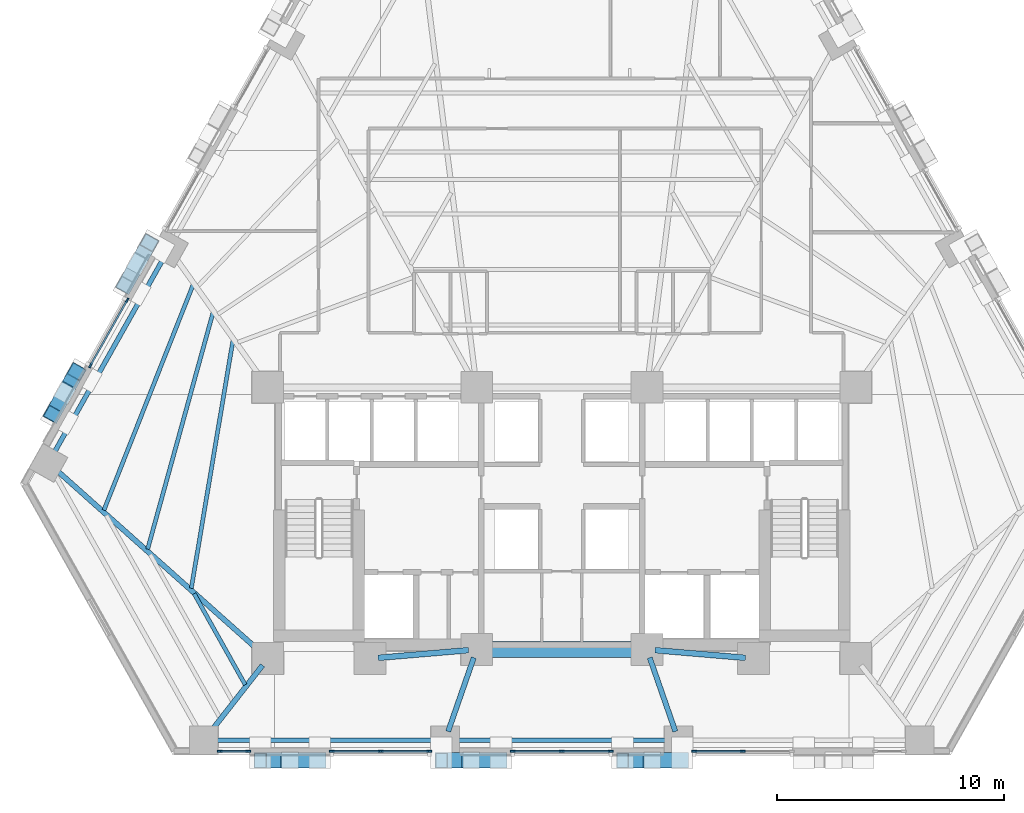
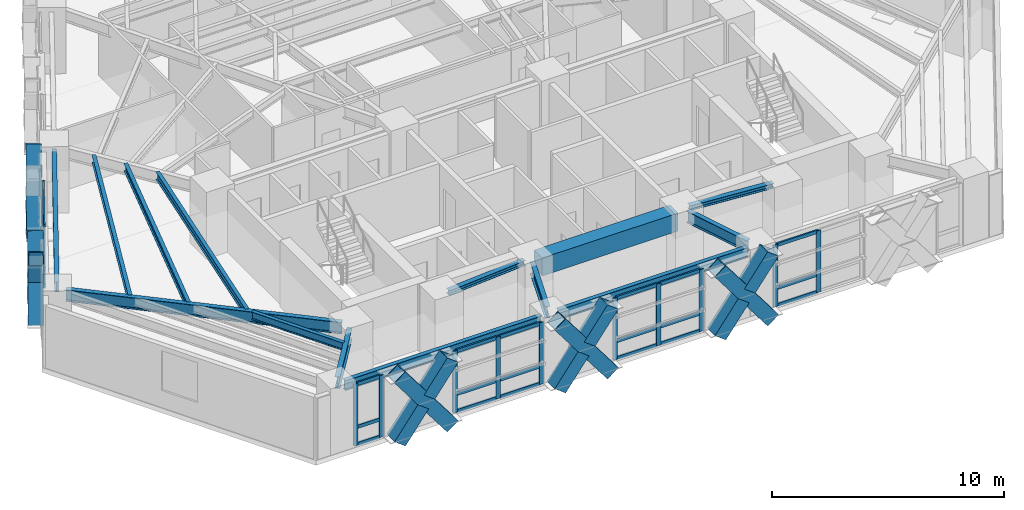
# One storey, part 2 of 13: 46 members, 14 beams, 5 elements without a shape of their own.
"""IFC4 building model written with IfcOpenShell, lengths in metres."""

from ifc_helpers import new_model, si_unit, direction, frame, origin, origin_2d, place, context, subcontext, project, spatial, rectangle, hollow_rectangle, i_section, extrude, material, material_profile, profile_set, type_object, element, aggregate, save


model = new_model("IFC4")

# Units and contexts
model_context = context("Model", 3, precision=1e-05, world=origin(), true_north=direction((0.0, 1.0)))
body_context = subcontext(model_context, "Body", "Model", "MODEL_VIEW")
ifc_project = project(units=[si_unit("LENGTHUNIT", "METRE"), si_unit("AREAUNIT", "SQUARE_METRE"), si_unit("VOLUMEUNIT", "CUBIC_METRE"), si_unit("PLANEANGLEUNIT", "RADIAN"), si_unit("MASSUNIT", "GRAM", prefix="KILO")], contexts=[model_context])

# Site, building, storey
site_placement = place(None, origin())
site = spatial("IfcSite", under=ifc_project, at=site_placement, CompositionType="ELEMENT")
building_placement = place(site_placement, origin())
building = spatial("IfcBuilding", under=site, at=building_placement, Name="Quenlor Broadcast Tower", CompositionType="ELEMENT")
storey_placement = place(building_placement, frame((0.0, 0.0, 52.10009765625)))
storey = spatial("IfcBuildingStorey", under=building, at=storey_placement, Name="L13", CompositionType="ELEMENT", Elevation=52.10009765625)

# Curtain wall, members
ifc_material_1 = material(Name="Architectural Terracotta and Low-E Glazing", Category="masonry")
curtain_wall_type = type_object("IfcCurtainWallType", Name="Unitised Terracotta Curtain Wall System Z1", PredefinedType="NOTDEFINED", material=ifc_material_1)
curtain_wall_1_placement = place(storey_placement, origin())
curtain_wall_1 = element("IfcCurtainWall", 1, at=curtain_wall_1_placement, inside=storey, type_object=curtain_wall_type, Name="L13 Curtain Wall CW1 (L13-SA-G2)", PredefinedType="NOTDEFINED")
ifc_material_2 = material(Name="Aluminium 6063-T6", Category="aluminium")
ifc_material_profile_1 = material_profile(ifc_material_2, rectangle(XDim=0.080078125, YDim=0.219970703125, at=origin_2d()))
ifc_profile_set_1 = profile_set([ifc_material_profile_1], Name="Aluminium 6063-T6 MULL80x220")
member_type_1 = type_object("IfcMemberType", Name="CW1 Aluminium Mullion MULL_CW1", PredefinedType="MULLION", material=ifc_profile_set_1)
member_1_placement = place(storey_placement, frame((7.982666015625, -20.840087890625, 0.0), z_axis=(0.0, 0.0, 1.0), x_axis=(0.0, -1.0, 0.0)))
member_1 = element("IfcMember", 2, at=member_1_placement, type_object=member_type_1, Name="CW1 mullion 2", PredefinedType="MULLION", context=body_context, shape_type="SweptSolid", body=[
    extrude(rectangle(XDim=0.080078125, YDim=0.219970703125, at=origin_2d()), origin(), (0.0, 0.0, 1.0), 3.25),
])
member_2_placement = place(storey_placement, frame((5.830810546875, -20.840087890625, 0.0), z_axis=(0.0, 0.0, 1.0), x_axis=(0.0, -1.0, 0.0)))
member_2 = element("IfcMember", 3, at=member_2_placement, type_object=member_type_1, Name="CW1 mullion 3", PredefinedType="MULLION", context=body_context, shape_type="SweptSolid", body=[
    extrude(rectangle(XDim=0.080078125, YDim=0.219970703125, at=origin_2d()), origin(), (0.0, 0.0, 1.0), 3.25),
])

curtain_wall_2_placement = place(storey_placement, origin())
curtain_wall_2 = element("IfcCurtainWall", 4, at=curtain_wall_2_placement, inside=storey, type_object=curtain_wall_type, Name="L13 Curtain Wall CW1 (L13-SC-G1)", PredefinedType="NOTDEFINED")
member_3_placement = place(storey_placement, frame((-5.830810546875, -20.840087890625, 0.0), z_axis=(0.0, 0.0, 1.0), x_axis=(0.0, -1.0, 0.0)))
member_3 = element("IfcMember", 5, at=member_3_placement, type_object=member_type_1, Name="CW1 mullion 1", PredefinedType="MULLION", context=body_context, shape_type="SweptSolid", body=[
    extrude(rectangle(XDim=0.080078125, YDim=0.219970703125, at=origin_2d()), origin(), (0.0, 0.0, 1.0), 3.25),
])
member_4_placement = place(storey_placement, frame((-7.982666015625, -20.840087890625, 0.0), z_axis=(0.0, 0.0, 1.0), x_axis=(0.0, -1.0, 0.0)))
member_4 = element("IfcMember", 6, at=member_4_placement, type_object=member_type_1, Name="CW1 mullion 2", PredefinedType="MULLION", context=body_context, shape_type="SweptSolid", body=[
    extrude(rectangle(XDim=0.080078125, YDim=0.219970703125, at=origin_2d()), origin(), (0.0, 0.0, 1.0), 3.25),
])
member_5_placement = place(storey_placement, frame((-10.134765625, -20.840087890625, 0.0), z_axis=(0.0, 0.0, 1.0), x_axis=(0.0, -1.0, 0.0)))
member_5 = element("IfcMember", 7, at=member_5_placement, type_object=member_type_1, Name="CW1 mullion 3", PredefinedType="MULLION", context=body_context, shape_type="SweptSolid", body=[
    extrude(rectangle(XDim=0.080078125, YDim=0.219970703125, at=origin_2d()), origin(), (0.0, 0.0, 1.0), 3.25),
])

curtain_wall_3_placement = place(storey_placement, origin())
curtain_wall_3 = element("IfcCurtainWall", 8, at=curtain_wall_3_placement, inside=storey, type_object=curtain_wall_type, Name="L13 Curtain Wall CW1 (L13-SC-G2)", PredefinedType="NOTDEFINED")
member_6_placement = place(storey_placement, frame((-13.806884765625, -20.840087890625, 0.0), z_axis=(0.0, 0.0, 1.0), x_axis=(0.0, -1.0, 0.0)))
member_6 = element("IfcMember", 9, at=member_6_placement, type_object=member_type_1, Name="CW1 mullion 1", PredefinedType="MULLION", context=body_context, shape_type="SweptSolid", body=[
    extrude(rectangle(XDim=0.080078125, YDim=0.219970703125, at=origin_2d()), origin(), (0.0, 0.0, 1.0), 3.25),
])
member_7_placement = place(storey_placement, frame((-15.0751953125, -20.840087890625, 0.0), z_axis=(0.0, 0.0, 1.0), x_axis=(0.0, -1.0, 0.0)))
member_7 = element("IfcMember", 10, at=member_7_placement, type_object=member_type_1, Name="CW1 mullion 2", PredefinedType="MULLION", context=body_context, shape_type="SweptSolid", body=[
    extrude(rectangle(XDim=0.080078125, YDim=0.219970703125, at=origin_2d()), origin(), (0.0, 0.0, 1.0), 3.25),
])

curtain_wall_4_placement = place(storey_placement, origin())
curtain_wall_4 = element("IfcCurtainWall", 11, at=curtain_wall_4_placement, inside=storey, type_object=curtain_wall_type, Name="L13 Curtain Wall CW1 (L13-S-G1)", PredefinedType="NOTDEFINED")
member_8_placement = place(storey_placement, frame((2.154296875, -20.840087890625, 0.0), z_axis=(0.0, 0.0, 1.0), x_axis=(0.0, -1.0, 0.0)))
member_8 = element("IfcMember", 12, at=member_8_placement, type_object=member_type_1, Name="CW1 mullion 1", PredefinedType="MULLION", context=body_context, shape_type="SweptSolid", body=[
    extrude(rectangle(XDim=0.080078125, YDim=0.219970703125, at=origin_2d()), origin(), (0.0, 0.0, 1.0), 3.25),
])
member_9_placement = place(storey_placement, frame((0.0, -20.840087890625, 0.0), z_axis=(0.0, 0.0, 1.0), x_axis=(0.0, -1.0, 0.0)))
member_9 = element("IfcMember", 13, at=member_9_placement, type_object=member_type_1, Name="CW1 mullion 2", PredefinedType="MULLION", context=body_context, shape_type="SweptSolid", body=[
    extrude(rectangle(XDim=0.080078125, YDim=0.219970703125, at=origin_2d()), origin(), (0.0, 0.0, 1.0), 3.25),
])
member_10_placement = place(storey_placement, frame((-2.154296875, -20.840087890625, 0.0), z_axis=(0.0, 0.0, 1.0), x_axis=(0.0, -1.0, 0.0)))
member_10 = element("IfcMember", 14, at=member_10_placement, type_object=member_type_1, Name="CW1 mullion 3", PredefinedType="MULLION", context=body_context, shape_type="SweptSolid", body=[
    extrude(rectangle(XDim=0.080078125, YDim=0.219970703125, at=origin_2d()), origin(), (0.0, 0.0, 1.0), 3.25),
])

curtain_wall_5_placement = place(storey_placement, origin())
curtain_wall_5 = element("IfcCurtainWall", 15, at=curtain_wall_5_placement, inside=storey, type_object=curtain_wall_type, Name="L13 Curtain Wall CW1 (L13-NWA-G1)", PredefinedType="NOTDEFINED")
member_11_placement = place(storey_placement, frame((-20.764892578125, -3.841552734375, 0.0), z_axis=(0.0, 0.0, 1.0), x_axis=(-0.871577906875, 0.49025702672, 0.0)))
member_11 = element("IfcMember", 16, at=member_11_placement, type_object=member_type_1, Name="CW1 mullion 1", PredefinedType="MULLION", context=body_context, shape_type="SweptSolid", body=[
    extrude(rectangle(XDim=0.080078125, YDim=0.219970703125, at=origin_2d()), origin(), (0.0, 0.0, 1.0), 3.25),
])
member_12_placement = place(storey_placement, frame((-19.146484375, -0.964599609375, 0.0), z_axis=(0.0, 0.0, 1.0), x_axis=(-0.871577906875, 0.49025702672, 0.0)))
member_12 = element("IfcMember", 17, at=member_12_placement, type_object=member_type_1, Name="CW1 mullion 2", PredefinedType="MULLION", context=body_context, shape_type="SweptSolid", body=[
    extrude(rectangle(XDim=0.080078125, YDim=0.219970703125, at=origin_2d()), origin(), (0.0, 0.0, 1.0), 3.25),
])

# Member
ifc_material_3 = material(Name="Aluminium 6063-T6", Category="aluminium")
ifc_material_profile_2 = material_profile(ifc_material_3, rectangle(XDim=0.080078125, YDim=0.179931640625, at=origin_2d()))
ifc_profile_set_2 = profile_set([ifc_material_profile_2], Name="Aluminium 6063-T6 TRAN80x180")
member_type_2 = type_object("IfcMemberType", Name="CW1 Aluminium Transom TRAN_CW1", PredefinedType="USERDEFINED", material=ifc_profile_set_2)
member_13_placement = place(storey_placement, frame((7.94287109375, -20.840087890625, 0.039794921875), z_axis=(-1.0, 0.0, 0.0), x_axis=(0.0, -1.0, 0.0)))
member_13 = element("IfcMember", 18, at=member_13_placement, type_object=member_type_2, Name="CW1 transom 2.1", ObjectType="TRANSOM", PredefinedType="USERDEFINED", context=body_context, shape_type="SweptSolid", body=[
    extrude(rectangle(XDim=0.080078125, YDim=0.179931640625, at=origin_2d()), origin(), (0.0, 0.0, 1.0), 2.072021484375),
])

member_14_placement = place(storey_placement, frame((7.94287109375, -20.840087890625, 0.949951171875), z_axis=(-1.0, 0.0, 0.0), x_axis=(0.0, -1.0, 0.0)))
member_14 = element("IfcMember", 19, at=member_14_placement, type_object=member_type_2, Name="CW1 transom 2.2", ObjectType="TRANSOM", PredefinedType="USERDEFINED", context=body_context, shape_type="SweptSolid", body=[
    extrude(rectangle(XDim=0.080078125, YDim=0.179931640625, at=origin_2d()), origin(), (0.0, 0.0, 1.0), 2.072021484375),
])

member_15_placement = place(storey_placement, frame((7.94287109375, -20.840087890625, 3.2099609375), z_axis=(-1.0, 0.0, 0.0), x_axis=(0.0, -1.0, 0.0)))
member_15 = element("IfcMember", 20, at=member_15_placement, type_object=member_type_2, Name="CW1 transom 2.3", ObjectType="TRANSOM", PredefinedType="USERDEFINED", context=body_context, shape_type="SweptSolid", body=[
    extrude(rectangle(XDim=0.080078125, YDim=0.179931640625, at=origin_2d()), origin(), (0.0, 0.0, 1.0), 2.072021484375),
])

aggregate(curtain_wall_1, [member_1, member_2, member_13, member_14, member_15])

member_16_placement = place(storey_placement, frame((-5.870849609375, -20.840087890625, 0.039794921875), z_axis=(-1.0, 0.0, 0.0), x_axis=(0.0, -1.0, 0.0)))
member_16 = element("IfcMember", 21, at=member_16_placement, type_object=member_type_2, Name="CW1 transom 1.1", ObjectType="TRANSOM", PredefinedType="USERDEFINED", context=body_context, shape_type="SweptSolid", body=[
    extrude(rectangle(XDim=0.080078125, YDim=0.179931640625, at=origin_2d()), origin(), (0.0, 0.0, 1.0), 2.072021484375),
])

member_17_placement = place(storey_placement, frame((-5.870849609375, -20.840087890625, 0.949951171875), z_axis=(-1.0, 0.0, 0.0), x_axis=(0.0, -1.0, 0.0)))
member_17 = element("IfcMember", 22, at=member_17_placement, type_object=member_type_2, Name="CW1 transom 1.2", ObjectType="TRANSOM", PredefinedType="USERDEFINED", context=body_context, shape_type="SweptSolid", body=[
    extrude(rectangle(XDim=0.080078125, YDim=0.179931640625, at=origin_2d()), origin(), (0.0, 0.0, 1.0), 2.072021484375),
])

member_18_placement = place(storey_placement, frame((-5.870849609375, -20.840087890625, 3.2099609375), z_axis=(-1.0, 0.0, 0.0), x_axis=(0.0, -1.0, 0.0)))
member_18 = element("IfcMember", 23, at=member_18_placement, type_object=member_type_2, Name="CW1 transom 1.3", ObjectType="TRANSOM", PredefinedType="USERDEFINED", context=body_context, shape_type="SweptSolid", body=[
    extrude(rectangle(XDim=0.080078125, YDim=0.179931640625, at=origin_2d()), origin(), (0.0, 0.0, 1.0), 2.072021484375),
])

member_19_placement = place(storey_placement, frame((-8.022705078125, -20.840087890625, 0.039794921875), z_axis=(-1.0, 0.0, 0.0), x_axis=(0.0, -1.0, 0.0)))
member_19 = element("IfcMember", 24, at=member_19_placement, type_object=member_type_2, Name="CW1 transom 2.1", ObjectType="TRANSOM", PredefinedType="USERDEFINED", context=body_context, shape_type="SweptSolid", body=[
    extrude(rectangle(XDim=0.080078125, YDim=0.179931640625, at=origin_2d()), origin(), (0.0, 0.0, 1.0), 2.072021484375),
])

member_20_placement = place(storey_placement, frame((-8.022705078125, -20.840087890625, 0.949951171875), z_axis=(-1.0, 0.0, 0.0), x_axis=(0.0, -1.0, 0.0)))
member_20 = element("IfcMember", 25, at=member_20_placement, type_object=member_type_2, Name="CW1 transom 2.2", ObjectType="TRANSOM", PredefinedType="USERDEFINED", context=body_context, shape_type="SweptSolid", body=[
    extrude(rectangle(XDim=0.080078125, YDim=0.179931640625, at=origin_2d()), origin(), (0.0, 0.0, 1.0), 2.072021484375),
])

member_21_placement = place(storey_placement, frame((-8.022705078125, -20.840087890625, 3.2099609375), z_axis=(-1.0, 0.0, 0.0), x_axis=(0.0, -1.0, 0.0)))
member_21 = element("IfcMember", 26, at=member_21_placement, type_object=member_type_2, Name="CW1 transom 2.3", ObjectType="TRANSOM", PredefinedType="USERDEFINED", context=body_context, shape_type="SweptSolid", body=[
    extrude(rectangle(XDim=0.080078125, YDim=0.179931640625, at=origin_2d()), origin(), (0.0, 0.0, 1.0), 2.072021484375),
])

aggregate(curtain_wall_2, [member_3, member_4, member_5, member_16, member_17, member_18, member_19, member_20, member_21])

member_22_placement = place(storey_placement, frame((-13.8466796875, -20.840087890625, 0.039794921875), z_axis=(-1.0, 0.0, 0.0), x_axis=(0.0, -1.0, 0.0)))
member_22 = element("IfcMember", 27, at=member_22_placement, type_object=member_type_2, Name="CW1 transom 1.1", ObjectType="TRANSOM", PredefinedType="USERDEFINED", context=body_context, shape_type="SweptSolid", body=[
    extrude(rectangle(XDim=0.080078125, YDim=0.179931640625, at=origin_2d()), origin(), (0.0, 0.0, 1.0), 1.1884765625),
])

member_23_placement = place(storey_placement, frame((-13.8466796875, -20.840087890625, 0.949951171875), z_axis=(-1.0, 0.0, 0.0), x_axis=(0.0, -1.0, 0.0)))
member_23 = element("IfcMember", 28, at=member_23_placement, type_object=member_type_2, Name="CW1 transom 1.2", ObjectType="TRANSOM", PredefinedType="USERDEFINED", context=body_context, shape_type="SweptSolid", body=[
    extrude(rectangle(XDim=0.080078125, YDim=0.179931640625, at=origin_2d()), origin(), (0.0, 0.0, 1.0), 1.1884765625),
])

member_24_placement = place(storey_placement, frame((-13.8466796875, -20.840087890625, 3.2099609375), z_axis=(-1.0, 0.0, 0.0), x_axis=(0.0, -1.0, 0.0)))
member_24 = element("IfcMember", 29, at=member_24_placement, type_object=member_type_2, Name="CW1 transom 1.3", ObjectType="TRANSOM", PredefinedType="USERDEFINED", context=body_context, shape_type="SweptSolid", body=[
    extrude(rectangle(XDim=0.080078125, YDim=0.179931640625, at=origin_2d()), origin(), (0.0, 0.0, 1.0), 1.1884765625),
])

aggregate(curtain_wall_3, [member_6, member_7, member_22, member_23, member_24])

member_25_placement = place(storey_placement, frame((2.1142578125, -20.840087890625, 0.039794921875), z_axis=(-1.0, 0.0, 0.0), x_axis=(0.0, -1.0, 0.0)))
member_25 = element("IfcMember", 30, at=member_25_placement, type_object=member_type_2, Name="CW1 transom 1.1", ObjectType="TRANSOM", PredefinedType="USERDEFINED", context=body_context, shape_type="SweptSolid", body=[
    extrude(rectangle(XDim=0.080078125, YDim=0.179931640625, at=origin_2d()), origin(), (0.0, 0.0, 1.0), 2.07421875),
])

member_26_placement = place(storey_placement, frame((2.1142578125, -20.840087890625, 0.949951171875), z_axis=(-1.0, 0.0, 0.0), x_axis=(0.0, -1.0, 0.0)))
member_26 = element("IfcMember", 31, at=member_26_placement, type_object=member_type_2, Name="CW1 transom 1.2", ObjectType="TRANSOM", PredefinedType="USERDEFINED", context=body_context, shape_type="SweptSolid", body=[
    extrude(rectangle(XDim=0.080078125, YDim=0.179931640625, at=origin_2d()), origin(), (0.0, 0.0, 1.0), 2.07421875),
])

member_27_placement = place(storey_placement, frame((2.1142578125, -20.840087890625, 3.2099609375), z_axis=(-1.0, 0.0, 0.0), x_axis=(0.0, -1.0, 0.0)))
member_27 = element("IfcMember", 32, at=member_27_placement, type_object=member_type_2, Name="CW1 transom 1.3", ObjectType="TRANSOM", PredefinedType="USERDEFINED", context=body_context, shape_type="SweptSolid", body=[
    extrude(rectangle(XDim=0.080078125, YDim=0.179931640625, at=origin_2d()), origin(), (0.0, 0.0, 1.0), 2.07421875),
])

member_28_placement = place(storey_placement, frame((-0.0400390625, -20.840087890625, 0.039794921875), z_axis=(-1.0, 0.0, 0.0), x_axis=(0.0, -1.0, 0.0)))
member_28 = element("IfcMember", 33, at=member_28_placement, type_object=member_type_2, Name="CW1 transom 2.1", ObjectType="TRANSOM", PredefinedType="USERDEFINED", context=body_context, shape_type="SweptSolid", body=[
    extrude(rectangle(XDim=0.080078125, YDim=0.179931640625, at=origin_2d()), origin(), (0.0, 0.0, 1.0), 2.07421875),
])

member_29_placement = place(storey_placement, frame((-0.0400390625, -20.840087890625, 0.949951171875), z_axis=(-1.0, 0.0, 0.0), x_axis=(0.0, -1.0, 0.0)))
member_29 = element("IfcMember", 34, at=member_29_placement, type_object=member_type_2, Name="CW1 transom 2.2", ObjectType="TRANSOM", PredefinedType="USERDEFINED", context=body_context, shape_type="SweptSolid", body=[
    extrude(rectangle(XDim=0.080078125, YDim=0.179931640625, at=origin_2d()), origin(), (0.0, 0.0, 1.0), 2.07421875),
])

member_30_placement = place(storey_placement, frame((-0.0400390625, -20.840087890625, 3.2099609375), z_axis=(-1.0, 0.0, 0.0), x_axis=(0.0, -1.0, 0.0)))
member_30 = element("IfcMember", 35, at=member_30_placement, type_object=member_type_2, Name="CW1 transom 2.3", ObjectType="TRANSOM", PredefinedType="USERDEFINED", context=body_context, shape_type="SweptSolid", body=[
    extrude(rectangle(XDim=0.080078125, YDim=0.179931640625, at=origin_2d()), origin(), (0.0, 0.0, 1.0), 2.07421875),
])

aggregate(curtain_wall_4, [member_8, member_9, member_10, member_25, member_26, member_27, member_28, member_29, member_30])

member_31_placement = place(storey_placement, frame((-20.7451171875, -3.806884765625, 0.039794921875), z_axis=(0.490250443683, 0.871581609758, 0.0), x_axis=(-0.871581609758, 0.490250443683, 0.0)))
member_31 = element("IfcMember", 36, at=member_31_placement, type_object=member_type_2, Name="CW1 transom 1.1", ObjectType="TRANSOM", PredefinedType="USERDEFINED", context=body_context, shape_type="SweptSolid", body=[
    extrude(rectangle(XDim=0.080078125, YDim=0.179931640625, at=origin_2d()), origin(), (0.0, 0.0, 1.0), 3.220947265625),
])

member_32_placement = place(storey_placement, frame((-20.7451171875, -3.806884765625, 0.949951171875), z_axis=(0.490250443683, 0.871581609758, 0.0), x_axis=(-0.871581609758, 0.490250443683, 0.0)))
member_32 = element("IfcMember", 37, at=member_32_placement, type_object=member_type_2, Name="CW1 transom 1.2", ObjectType="TRANSOM", PredefinedType="USERDEFINED", context=body_context, shape_type="SweptSolid", body=[
    extrude(rectangle(XDim=0.080078125, YDim=0.179931640625, at=origin_2d()), origin(), (0.0, 0.0, 1.0), 3.220947265625),
])

member_33_placement = place(storey_placement, frame((-20.7451171875, -3.806884765625, 3.2099609375), z_axis=(0.490250443683, 0.871581609758, 0.0), x_axis=(-0.871581609758, 0.490250443683, 0.0)))
member_33 = element("IfcMember", 38, at=member_33_placement, type_object=member_type_2, Name="CW1 transom 1.3", ObjectType="TRANSOM", PredefinedType="USERDEFINED", context=body_context, shape_type="SweptSolid", body=[
    extrude(rectangle(XDim=0.080078125, YDim=0.179931640625, at=origin_2d()), origin(), (0.0, 0.0, 1.0), 3.220947265625),
])

aggregate(curtain_wall_5, [member_11, member_12, member_31, member_32, member_33])

# Beams
ifc_material_4 = material(Name="Concrete C50/60", Category="concrete")
ifc_material_profile_3 = material_profile(ifc_material_4, rectangle(XDim=0.699951171875, YDim=0.949951171875, at=origin_2d()))
ifc_profile_set_3 = profile_set([ifc_material_profile_3], Name="Concrete C50/60 RCB700x950")
beam_type_1 = type_object("IfcBeamType", Name="Core Coupling Beam Concrete C50/60 700x950", PredefinedType="BEAM", material=ifc_profile_set_3)
beam_1_placement = place(storey_placement, frame((-3.389892578125, -16.35009765625, 2.77490234375), z_axis=(1.0, 0.0, 0.0), x_axis=(0.0, 1.0, 0.0)))
element("IfcBeam", 39, at=beam_1_placement, inside=storey, type_object=beam_type_1, Name="L13 Core Coupling Beam 6", PredefinedType="BEAM", context=body_context, shape_type="SweptSolid", body=[
    extrude(rectangle(XDim=0.699951171875, YDim=0.949951171875, at=origin_2d()), origin(), (0.0, 0.0, 1.0), 6.77978515625),
])
ifc_material_5 = material(Name="Steel S355", Category="steel")
ifc_material_profile_4 = material_profile(ifc_material_5, i_section(OverallWidth=0.25390625, OverallDepth=0.25390625, WebThickness=0.008544921875, FlangeThickness=0.01416015625, FilletRadius=0.013916015625, at=origin_2d()))
ifc_profile_set_4 = profile_set([ifc_material_profile_4], Name="Steel S355 250UC72.9")
beam_type_2 = type_object("IfcBeamType", Name="Core Opening Lintel Beam Steel S355 250UC72.9", PredefinedType="LINTEL", material=ifc_profile_set_4)
for number, where, z_axis, x_axis, name in (
    (40, (-8.09130859375, -16.719482421875, 3.123046875), (0.996399763903, 0.084779186679, 0.0), (-0.084779186679, 0.996399763903, 0.0), "L13 Core Opening Lintel Beam 4"),
    (41, (4.108642578125, -16.380615234375, 3.123046875), (0.996399763903, -0.084779186679, 0.0), (0.084779186679, 0.996399763903, 0.0), "L13 Core Opening Lintel Beam 5"),
):
    element("IfcBeam", number, at=place(storey_placement, frame(where, z_axis=z_axis, x_axis=x_axis)), inside=storey, type_object=beam_type_2, Name=name, PredefinedType="LINTEL", context=body_context, shape_type="SweptSolid", body=[
        extrude(i_section(OverallWidth=0.25390625, OverallDepth=0.25390625, WebThickness=0.008544921875, FlangeThickness=0.01416015625, FilletRadius=0.013916015625, at=origin_2d()), origin(), (0.0, 0.0, 1.0), 3.9970703125),
    ])

# Members
ifc_material_6 = material(Name="Steel S355", Category="steel")
ifc_material_profile_5 = material_profile(ifc_material_6, hollow_rectangle(XDim=0.679931640625, YDim=0.679931640625, WallThickness=0.034912109375, at=origin_2d()))
ifc_profile_set_5 = profile_set([ifc_material_profile_5], Name="Steel S355 RHS680x680x35")
member_type_3 = type_object("IfcMemberType", Name="Perimeter Diagonal Lattice Brace Z1 Steel S355 RHS680x35", PredefinedType="BRACE", material=ifc_profile_set_5)
member_34_placement = place(storey_placement, frame((5.304443359375, -21.235107421875, -0.1201171875), z_axis=(-0.60049964856, 0.0, 0.799625019668), x_axis=(0.0, -1.0, 0.0)))
element("IfcMember", 42, at=member_34_placement, inside=storey, type_object=member_type_3, Name="L13 Perimeter Diamond Lattice S-C2XA", PredefinedType="BRACE", context=body_context, shape_type="SweptSolid", body=[
    extrude(hollow_rectangle(XDim=0.679931640625, YDim=0.679931640625, WallThickness=0.034912109375, at=origin_2d()), origin(), (0.0, 0.0, 1.0), 4.376953125),
])
for number, where, z_axis, x_axis, name in (
    (43, (2.676025390625, -21.235107421875, -0.1201171875), (0.600503659272, 0.0, 0.799622007701), (0.0, 1.0, 0.0), "L13 Perimeter Diamond Lattice S-C2XB1"),
    (44, (4.140380859375, -21.235107421875, 1.829833984375), (0.600503659272, 0.0, 0.799622007701), (0.0, 1.0, 0.0), "L13 Perimeter Diamond Lattice S-C2XB2"),
):
    element("IfcMember", number, at=place(storey_placement, frame(where, z_axis=z_axis, x_axis=x_axis)), inside=storey, type_object=member_type_3, Name=name, PredefinedType="BRACE", context=body_context, shape_type="SweptSolid", body=[
        extrude(hollow_rectangle(XDim=0.679931640625, YDim=0.679931640625, WallThickness=0.034912109375, at=origin_2d()), origin(), (0.0, 0.0, 1.0), 1.9384765625),
    ])
member_35_placement = place(storey_placement, frame((-2.676025390625, -21.235107421875, -0.1201171875), z_axis=(-0.60049964856, 0.0, 0.799625019668), x_axis=(0.0, -1.0, 0.0)))
element("IfcMember", 45, at=member_35_placement, inside=storey, type_object=member_type_3, Name="L13 Perimeter Diamond Lattice S-C3XA", PredefinedType="BRACE", context=body_context, shape_type="SweptSolid", body=[
    extrude(hollow_rectangle(XDim=0.679931640625, YDim=0.679931640625, WallThickness=0.034912109375, at=origin_2d()), origin(), (0.0, 0.0, 1.0), 4.376953125),
])
for number, where, z_axis, x_axis, name in (
    (46, (-5.304443359375, -21.235107421875, -0.1201171875), (0.600503659272, 0.0, 0.799622007701), (0.0, 1.0, 0.0), "L13 Perimeter Diamond Lattice S-C3XB1"),
    (47, (-3.840087890625, -21.235107421875, 1.829833984375), (0.600503659272, 0.0, 0.799622007701), (0.0, 1.0, 0.0), "L13 Perimeter Diamond Lattice S-C3XB2"),
):
    element("IfcMember", number, at=place(storey_placement, frame(where, z_axis=z_axis, x_axis=x_axis)), inside=storey, type_object=member_type_3, Name=name, PredefinedType="BRACE", context=body_context, shape_type="SweptSolid", body=[
        extrude(hollow_rectangle(XDim=0.679931640625, YDim=0.679931640625, WallThickness=0.034912109375, at=origin_2d()), origin(), (0.0, 0.0, 1.0), 1.9384765625),
    ])
member_36_placement = place(storey_placement, frame((-10.656494140625, -21.235107421875, -0.1201171875), z_axis=(-0.60049964856, 0.0, 0.799625019668), x_axis=(0.0, -1.0, 0.0)))
element("IfcMember", 48, at=member_36_placement, inside=storey, type_object=member_type_3, Name="L13 Perimeter Diamond Lattice S-C4XA", PredefinedType="BRACE", context=body_context, shape_type="SweptSolid", body=[
    extrude(hollow_rectangle(XDim=0.679931640625, YDim=0.679931640625, WallThickness=0.034912109375, at=origin_2d()), origin(), (0.0, 0.0, 1.0), 4.376953125),
])
for number, where, z_axis, x_axis, name in (
    (49, (-13.284912109375, -21.235107421875, -0.1201171875), (0.600503659272, 0.0, 0.799622007701), (0.0, 1.0, 0.0), "L13 Perimeter Diamond Lattice S-C4XB1"),
    (50, (-11.820556640625, -21.235107421875, 1.829833984375), (0.600503659272, 0.0, 0.799622007701), (0.0, 1.0, 0.0), "L13 Perimeter Diamond Lattice S-C4XB2"),
):
    element("IfcMember", number, at=place(storey_placement, frame(where, z_axis=z_axis, x_axis=x_axis)), inside=storey, type_object=member_type_3, Name=name, PredefinedType="BRACE", context=body_context, shape_type="SweptSolid", body=[
        extrude(hollow_rectangle(XDim=0.679931640625, YDim=0.679931640625, WallThickness=0.034912109375, at=origin_2d()), origin(), (0.0, 0.0, 1.0), 1.9384765625),
    ])
member_37_placement = place(storey_placement, frame((-22.4248046875, -5.98681640625, -0.1201171875), z_axis=(0.256430888508, 0.455784649039, 0.8523517778), x_axis=(-0.871533027316, 0.490336804959, 0.0)))
element("IfcMember", 51, at=member_37_placement, inside=storey, type_object=member_type_3, Name="L13 Perimeter Diamond Lattice NW-C1XA", PredefinedType="BRACE", context=body_context, shape_type="SweptSolid", body=[
    extrude(hollow_rectangle(XDim=0.679931640625, YDim=0.679931640625, WallThickness=0.034912109375, at=origin_2d()), origin(), (0.0, 0.0, 1.0), 4.106201171875),
])
for number, where, z_axis, x_axis, name in (
    (52, (-21.371826171875, -4.115234375, -0.1201171875), (-0.256451721554, -0.455763724789, 0.852356698618), (0.871506382136, -0.490384161547, 0.0), "L13 Perimeter Diamond Lattice NW-C1XB1"),
    (53, (-21.96240234375, -5.1650390625, 1.843017578125), (-0.256451721554, -0.455763724789, 0.852356698618), (0.871506382136, -0.490384161547, 0.0), "L13 Perimeter Diamond Lattice NW-C1XB2"),
):
    element("IfcMember", number, at=place(storey_placement, frame(where, z_axis=z_axis, x_axis=x_axis)), inside=storey, type_object=member_type_3, Name=name, PredefinedType="BRACE", context=body_context, shape_type="SweptSolid", body=[
        extrude(hollow_rectangle(XDim=0.679931640625, YDim=0.679931640625, WallThickness=0.034912109375, at=origin_2d()), origin(), (0.0, 0.0, 1.0), 1.802978515625),
    ])
member_38_placement = place(storey_placement, frame((-19.22802734375, -0.3037109375, -0.1201171875), z_axis=(0.256430888508, 0.455784649039, 0.8523517778), x_axis=(-0.871533027316, 0.490336804959, 0.0)))
element("IfcMember", 54, at=member_38_placement, inside=storey, type_object=member_type_3, Name="L13 Perimeter Diamond Lattice NW-C2XA", PredefinedType="BRACE", context=body_context, shape_type="SweptSolid", body=[
    extrude(hollow_rectangle(XDim=0.679931640625, YDim=0.679931640625, WallThickness=0.034912109375, at=origin_2d()), origin(), (0.0, 0.0, 1.0), 4.106201171875),
])

# Beams
ifc_material_7 = material(Name="Steel S355", Category="steel")
ifc_material_profile_6 = material_profile(ifc_material_7, i_section(OverallWidth=0.208984375, OverallDepth=0.532958984375, WebThickness=0.01025390625, FlangeThickness=0.015625, FilletRadius=0.013916015625, at=origin_2d()))
ifc_profile_set_6 = profile_set([ifc_material_profile_6], Name="Steel S355 530UB92.4")
beam_type_3 = type_object("IfcBeamType", Name="Perimeter Spandrel Beam Z1 Steel S355 530UB92.4", PredefinedType="SPANDREL", material=ifc_profile_set_6)
beam_2_placement = place(storey_placement, frame((-15.35498046875, -20.35009765625, 2.9833984375), z_axis=(1.0, 0.0, 0.0), x_axis=(0.0, 1.0, 0.0)))
element("IfcBeam", 55, at=beam_2_placement, inside=storey, type_object=beam_type_3, Name="L13 Spandrel Beam S1-S2", PredefinedType="SPANDREL", context=body_context, shape_type="SweptSolid", body=[
    extrude(i_section(OverallWidth=0.208984375, OverallDepth=0.532958984375, WebThickness=0.01025390625, FlangeThickness=0.015625, FilletRadius=0.013916015625, at=origin_2d()), origin(), (0.0, 0.0, 1.0), 9.80419921875),
])
beam_3_placement = place(storey_placement, frame((-4.730712890625, -20.35009765625, 2.9833984375), z_axis=(1.0, 0.0, 0.0), x_axis=(0.0, 1.0, 0.0)))
element("IfcBeam", 56, at=beam_3_placement, inside=storey, type_object=beam_type_3, Name="L13 Spandrel Beam S2-S3", PredefinedType="SPANDREL", context=body_context, shape_type="SweptSolid", body=[
    extrude(i_section(OverallWidth=0.208984375, OverallDepth=0.532958984375, WebThickness=0.01025390625, FlangeThickness=0.015625, FilletRadius=0.013916015625, at=origin_2d()), origin(), (0.0, 0.0, 1.0), 9.46142578125),
])
beam_4_placement = place(storey_placement, frame((-17.5048828125, 0.954345703125, 2.9833984375), z_axis=(-0.490257767622, -0.871577490121, 0.0), x_axis=(0.871577490121, -0.490257767622, 0.0)))
element("IfcBeam", 57, at=beam_4_placement, inside=storey, type_object=beam_type_3, Name="L13 Spandrel Beam NW3-NW4", PredefinedType="SPANDREL", context=body_context, shape_type="SweptSolid", body=[
    extrude(i_section(OverallWidth=0.208984375, OverallDepth=0.532958984375, WebThickness=0.01025390625, FlangeThickness=0.015625, FilletRadius=0.013916015625, at=origin_2d()), origin(), (0.0, 0.0, 1.0), 10.015380859375),
])
ifc_material_8 = material(Name="Steel S355", Category="steel")
ifc_material_profile_7 = material_profile(ifc_material_8, i_section(OverallWidth=0.177978515625, OverallDepth=0.406494140625, WebThickness=0.0078125, FlangeThickness=0.0126953125, FilletRadius=0.011474609375, at=origin_2d()))
ifc_profile_set_7 = profile_set([ifc_material_profile_7], Name="Steel S355 410UB59.7")
beam_type_4 = type_object("IfcBeamType", Name="Tower Composite Joist Z1 Steel S355 410UB59.7", PredefinedType="JOIST", material=ifc_profile_set_7)
beam_5_placement = place(storey_placement, frame((-16.31982421875, -13.65478515625, 3.046630859375), z_axis=(0.16559360599, 0.986194077074, 0.0), x_axis=(-0.986194077074, 0.16559360599, 0.0)))
element("IfcBeam", 58, at=beam_5_placement, inside=storey, type_object=beam_type_4, Name="L13 Secondary Composite Joist 13", PredefinedType="JOIST", context=body_context, shape_type="SweptSolid", body=[
    extrude(i_section(OverallWidth=0.177978515625, OverallDepth=0.406494140625, WebThickness=0.0078125, FlangeThickness=0.0126953125, FilletRadius=0.011474609375, at=origin_2d()), origin(), (0.0, 0.0, 1.0), 11.06787109375),
])
beam_6_placement = place(storey_placement, frame((-18.2451171875, -11.93310546875, 3.046630859375), z_axis=(0.266390054368, 0.963865311615, 0.0), x_axis=(-0.963865311615, 0.266390054368, 0.0)))
element("IfcBeam", 59, at=beam_6_placement, inside=storey, type_object=beam_type_4, Name="L13 Secondary Composite Joist 14", PredefinedType="JOIST", context=body_context, shape_type="SweptSolid", body=[
    extrude(i_section(OverallWidth=0.177978515625, OverallDepth=0.406494140625, WebThickness=0.0078125, FlangeThickness=0.0126953125, FilletRadius=0.011474609375, at=origin_2d()), origin(), (0.0, 0.0, 1.0), 10.80810546875),
])
beam_7_placement = place(storey_placement, frame((-20.170166015625, -10.212158203125, 3.046630859375), z_axis=(0.367884833597, 0.929871361646, 0.0), x_axis=(-0.929871361646, 0.367884833597, 0.0)))
element("IfcBeam", 60, at=beam_7_placement, inside=storey, type_object=beam_type_4, Name="L13 Secondary Composite Joist 15", PredefinedType="JOIST", context=body_context, shape_type="SweptSolid", body=[
    extrude(i_section(OverallWidth=0.177978515625, OverallDepth=0.406494140625, WebThickness=0.0078125, FlangeThickness=0.0126953125, FilletRadius=0.011474609375, at=origin_2d()), origin(), (0.0, 0.0, 1.0), 10.669921875),
])
beam_8_placement = place(storey_placement, frame((-13.9462890625, -17.904296875, 3.046630859375), z_axis=(-0.489062021968, 0.872249011848, 0.0), x_axis=(-0.872249011848, -0.489062021968, 0.0)))
element("IfcBeam", 61, at=beam_8_placement, inside=storey, type_object=beam_type_4, Name="L13 Secondary Composite Joist 19", PredefinedType="JOIST", context=body_context, shape_type="SweptSolid", body=[
    extrude(i_section(OverallWidth=0.177978515625, OverallDepth=0.406494140625, WebThickness=0.0078125, FlangeThickness=0.0126953125, FilletRadius=0.011474609375, at=origin_2d()), origin(), (0.0, 0.0, 1.0), 4.6025390625),
])
ifc_material_9 = material(Name="Steel S355", Category="steel")
ifc_material_profile_8 = material_profile(ifc_material_9, i_section(OverallWidth=0.22900390625, OverallDepth=0.611572265625, WebThickness=0.011962890625, FlangeThickness=0.01953125, FilletRadius=0.013916015625, at=origin_2d()))
ifc_profile_set_8 = profile_set([ifc_material_profile_8], Name="Steel S355 610UB125")
beam_type_5 = type_object("IfcBeamType", Name="Tower Primary Floor Beam Z1 Steel S355 610UB125", PredefinedType="BEAM", material=ifc_profile_set_8)
beam_9_placement = place(storey_placement, frame((-15.512451171875, -20.027099609375, 2.944091796875), z_axis=(0.615968610193, 0.78777069713, 0.0), x_axis=(-0.78777069713, 0.615968610193, 0.0)))
element("IfcBeam", 62, at=beam_9_placement, inside=storey, type_object=beam_type_5, Name="L13 Primary Radial Beam S1", PredefinedType="BEAM", context=body_context, shape_type="SweptSolid", body=[
    extrude(i_section(OverallWidth=0.22900390625, OverallDepth=0.611572265625, WebThickness=0.011962890625, FlangeThickness=0.01953125, FilletRadius=0.013916015625, at=origin_2d()), origin(), (0.0, 0.0, 1.0), 3.780029296875),
])
for number, where, z_axis, x_axis, name in (
    (63, (-5.006103515625, -19.962646484375, 2.944091796875), (0.328427161327, 0.944529300606, 0.0), (-0.944529300606, 0.328427161327, 0.0), "L13 Primary Radial Beam S2"),
    (64, (5.006103515625, -19.962646484375, 2.944091796875), (-0.328427161327, 0.944529300606, 0.0), (-0.944529300606, -0.328427161327, 0.0), "L13 Primary Radial Beam S3"),
):
    element("IfcBeam", number, at=place(storey_placement, frame(where, z_axis=z_axis, x_axis=x_axis)), inside=storey, type_object=beam_type_5, Name=name, PredefinedType="BEAM", context=body_context, shape_type="SweptSolid", body=[
        extrude(i_section(OverallWidth=0.22900390625, OverallDepth=0.611572265625, WebThickness=0.011962890625, FlangeThickness=0.01953125, FilletRadius=0.013916015625, at=origin_2d()), origin(), (0.0, 0.0, 1.0), 3.44482421875),
    ])
beam_10_placement = place(storey_placement, frame((-22.31005859375, -8.40478515625, 2.944091796875), z_axis=(0.746413754585, -0.665482161268, 0.0), x_axis=(0.665482161268, 0.746413754585, 0.0)))
element("IfcBeam", 65, at=beam_10_placement, inside=storey, type_object=beam_type_5, Name="L13 Primary Radial Beam NW4", PredefinedType="BEAM", context=body_context, shape_type="SweptSolid", body=[
    extrude(i_section(OverallWidth=0.22900390625, OverallDepth=0.611572265625, WebThickness=0.011962890625, FlangeThickness=0.01953125, FilletRadius=0.013916015625, at=origin_2d()), origin(), (0.0, 0.0, 1.0), 12.159912109375),
])

save(model, "model.ifc")
